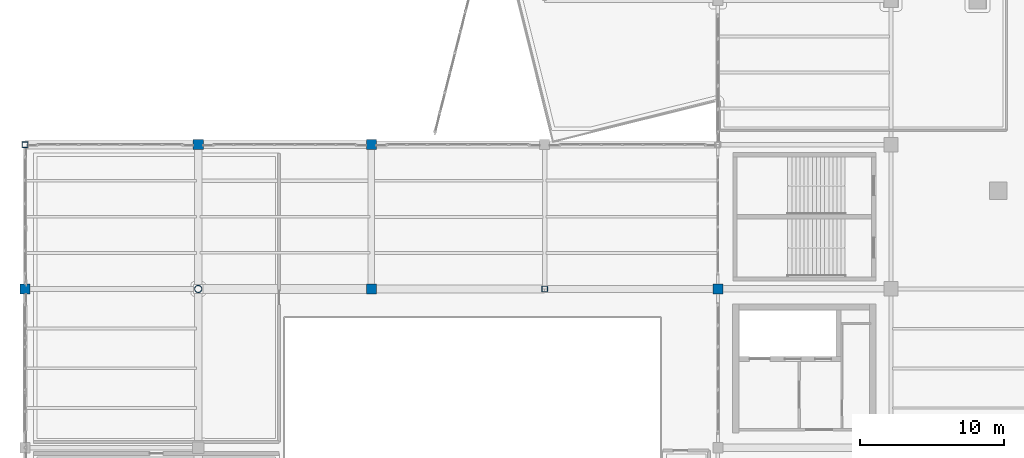
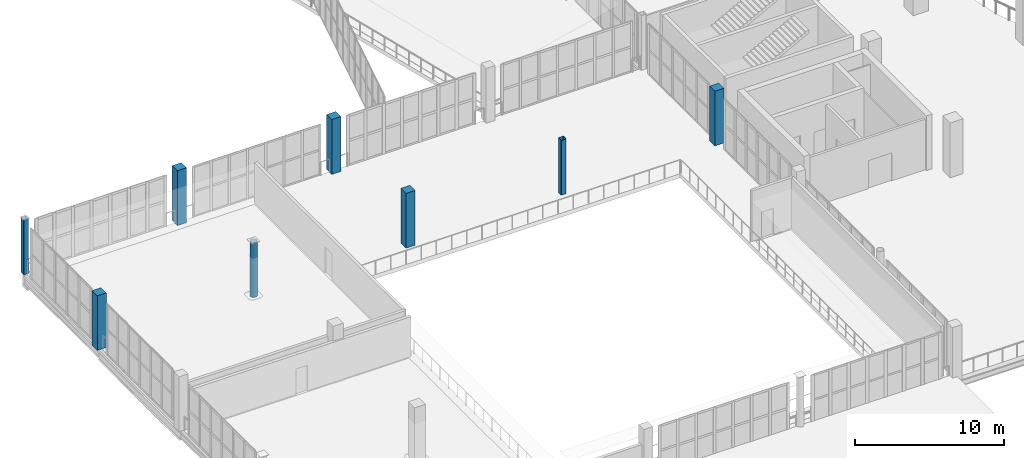
# One storey, part 3 of 108: 8 columns.
"""IFC4 building model written with IfcOpenShell, lengths in metres."""

from ifc_helpers import new_model, si_unit, direction, frame, origin, origin_2d, place, context, subcontext, project, spatial, rectangle, hollow_rectangle, hollow_circle, extrude, material, material_profile, profile_set, type_object, element, save


model = new_model("IFC4")

# Units and contexts
model_context = context("Model", 3, precision=1e-05, world=origin(), true_north=direction((0.0, 1.0)))
body_context = subcontext(model_context, "Body", "Model", "MODEL_VIEW")
ifc_project = project(units=[si_unit("LENGTHUNIT", "METRE"), si_unit("AREAUNIT", "SQUARE_METRE"), si_unit("VOLUMEUNIT", "CUBIC_METRE"), si_unit("PLANEANGLEUNIT", "RADIAN"), si_unit("MASSUNIT", "GRAM", prefix="KILO")], contexts=[model_context])

# Site, building, storey
site_placement = place(None, origin())
site = spatial("IfcSite", under=ifc_project, at=site_placement, CompositionType="ELEMENT")
building_placement = place(site_placement, origin())
building = spatial("IfcBuilding", under=site, at=building_placement, Name="Brinegate Civic Arena", CompositionType="ELEMENT")
storey_placement = place(building_placement, frame((0.0, 0.0, 10.199951171875)))
storey = spatial("IfcBuildingStorey", under=building, at=storey_placement, Name="L02", CompositionType="ELEMENT", Elevation=10.199951171875)

# Columns
ifc_material_1 = material(Name="Concrete C50/60", Category="concrete")
ifc_material_profile_1 = material_profile(ifc_material_1, rectangle(XDim=0.699951171875, YDim=0.699951171875, at=origin_2d()), Name="RC700X700")
ifc_profile_set_1 = profile_set([ifc_material_profile_1], Name="Concrete C50/60")
column_type_1 = type_object("IfcColumnType", Name="COL-CC09-700", PredefinedType="COLUMN", material=ifc_profile_set_1)
for number, where, z_axis, x_axis, name in (
    (1, (0.0, 42.0, 0.0), (0.0, 0.0, 1.0), (1.0, 0.0, 0.0), "Column COL-L02-1-E"),
    (2, (12.0, 52.0, 0.0), (0.0, 0.0, 1.0), (1.0, 0.0, 0.0), "Column COL-L02-2-F"),
    (3, (24.0, 42.0, 0.0), (0.0, 0.0, 1.0), (1.0, 0.0, 0.0), "Column COL-L02-3-E"),
    (4, (24.0, 52.0, 0.0), (0.0, 0.0, 1.0), (1.0, 0.0, 0.0), "Column COL-L02-3-F"),
    (5, (48.0, 42.0, 0.0), (0.0, 0.0, 1.0), (1.0, 0.0, 0.0), "Column COL-L02-5-E"),
):
    element("IfcColumn", number, at=place(storey_placement, frame(where, z_axis=z_axis, x_axis=x_axis)), inside=storey, type_object=column_type_1, Name=name, PredefinedType="COLUMN", context=body_context, shape_type="SweptSolid", body=[
        extrude(rectangle(XDim=0.699951171875, YDim=0.699951171875, at=origin_2d()), origin(), (0.0, 0.0, 1.0), 4.5),
    ])
ifc_material_2 = material(Name="Steel S355", Category="steel")
ifc_material_profile_2 = material_profile(ifc_material_2, hollow_rectangle(XDim=0.39990234375, YDim=0.39990234375, WallThickness=0.02001953125, InnerFilletRadius=0.02001953125, OuterFilletRadius=0.0400390625, at=origin_2d()), Name="SHS400X20")
ifc_profile_set_2 = profile_set([ifc_material_profile_2], Name="Steel S355")
column_type_2 = type_object("IfcColumnType", Name="COL-SC03-SHS400", PredefinedType="COLUMN", material=ifc_profile_set_2)
for number, where, z_axis, x_axis, name in (
    (6, (0.0, 52.0, 0.0), (0.0, 0.0, 1.0), (1.0, 0.0, 0.0), "Column COL-L02-1-F"),
    (7, (36.0, 42.0, 0.0), (0.0, 0.0, 1.0), (1.0, 0.0, 0.0), "Column COL-L02-4-E"),
):
    element("IfcColumn", number, at=place(storey_placement, frame(where, z_axis=z_axis, x_axis=x_axis)), inside=storey, type_object=column_type_2, Name=name, PredefinedType="COLUMN", context=body_context, shape_type="SweptSolid", body=[
        extrude(hollow_rectangle(XDim=0.39990234375, YDim=0.39990234375, WallThickness=0.02001953125, InnerFilletRadius=0.02001953125, OuterFilletRadius=0.0400390625, at=origin_2d()), origin(), (0.0, 0.0, 1.0), 4.5),
    ])
ifc_material_profile_3 = material_profile(ifc_material_2, hollow_circle(Radius=0.25390625, WallThickness=0.02001953125, at=origin_2d()), Name="CHS508X20")
ifc_profile_set_3 = profile_set([ifc_material_profile_3], Name="Steel S355")
column_type_3 = type_object("IfcColumnType", Name="COL-SC06-CHS508", PredefinedType="COLUMN", material=ifc_profile_set_3)
column_placement = place(storey_placement, frame((12.0, 42.0, 0.0), z_axis=(0.0, 0.0, 1.0), x_axis=(1.0, 0.0, 0.0)))
element("IfcColumn", 8, at=column_placement, inside=storey, type_object=column_type_3, Name="Column COL-L02-2-E", PredefinedType="COLUMN", context=body_context, shape_type="SweptSolid", body=[
    extrude(hollow_circle(Radius=0.25390625, WallThickness=0.02001953125, at=origin_2d()), origin(), (0.0, 0.0, 1.0), 4.5),
])

save(model, "model.ifc")
